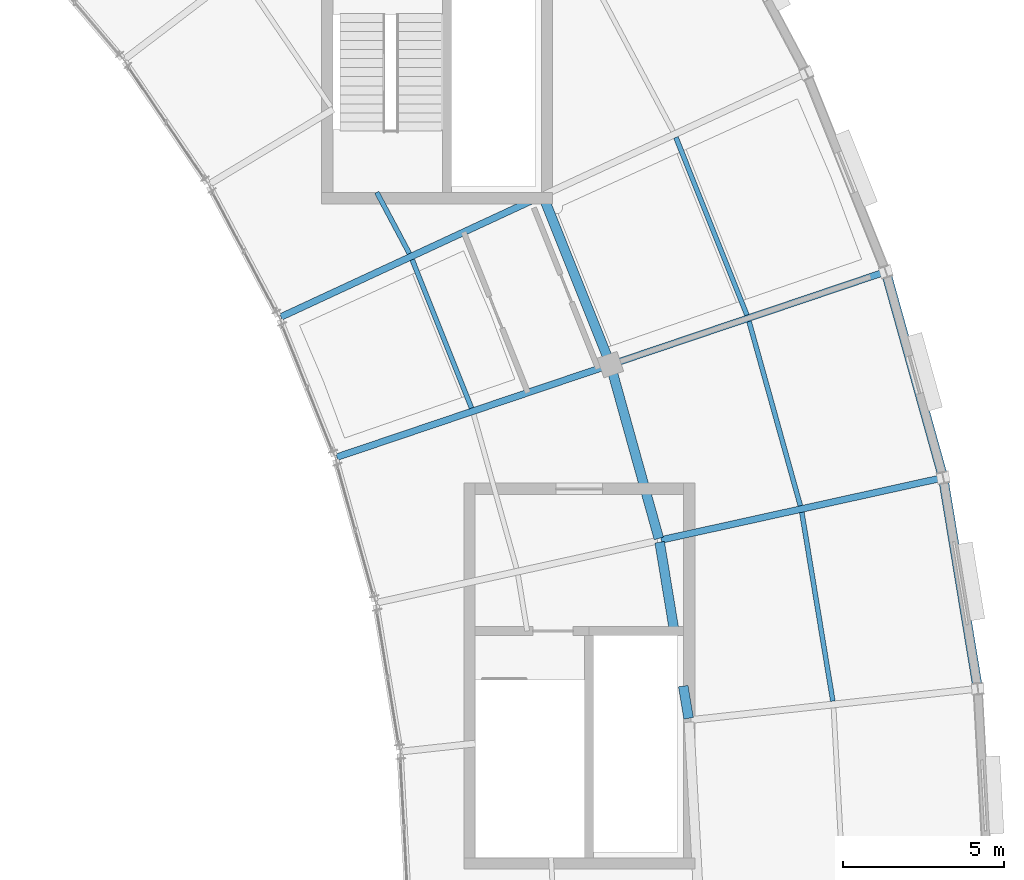
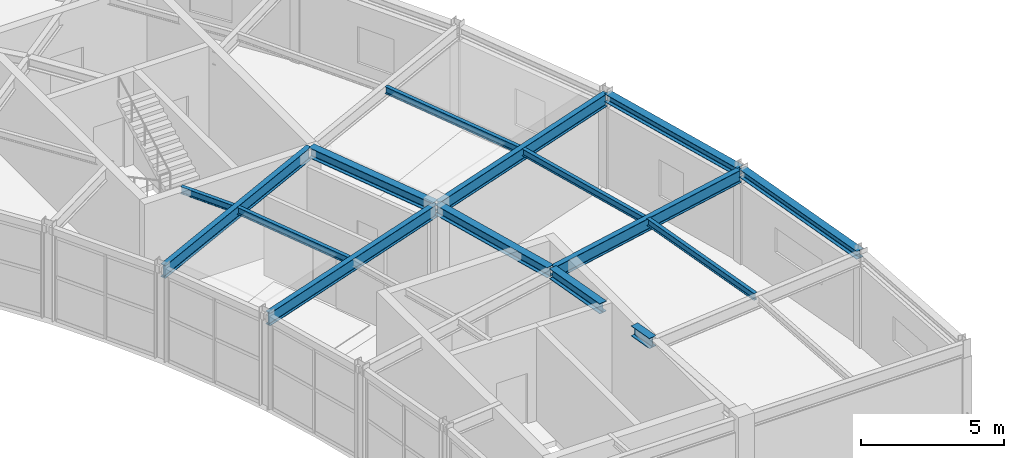
# One storey, part 13 of 29: 15 beams.
"""IFC4 building model written with IfcOpenShell, lengths in metres."""

from ifc_helpers import new_model, si_unit, direction, frame, origin, origin_2d, place, context, subcontext, project, spatial, i_section, extrude, material, material_profile, profile_set, type_object, element, save


model = new_model("IFC4")

# Units and contexts
model_context = context("Model", 3, precision=1e-05, world=origin(), true_north=direction((0.0, 1.0)))
body_context = subcontext(model_context, "Body", "Model", "MODEL_VIEW")
ifc_project = project(units=[si_unit("LENGTHUNIT", "METRE"), si_unit("AREAUNIT", "SQUARE_METRE"), si_unit("VOLUMEUNIT", "CUBIC_METRE"), si_unit("PLANEANGLEUNIT", "RADIAN"), si_unit("MASSUNIT", "GRAM", prefix="KILO")], contexts=[model_context])

# Site, building, storey
site_placement = place(None, origin())
site = spatial("IfcSite", under=ifc_project, at=site_placement, CompositionType="ELEMENT")
building_placement = place(site_placement, origin())
building = spatial("IfcBuilding", under=site, at=building_placement, Name="Tarnveldt Headland Concert Hall", CompositionType="ELEMENT")
storey_placement = place(building_placement, frame((0.0, 0.0, 18.60009765625)))
storey = spatial("IfcBuildingStorey", under=building, at=storey_placement, Name="L04", CompositionType="ELEMENT", Elevation=18.60009765625)

# Beams
ifc_material = material(Name="Steel S355", Category="steel")
ifc_material_profile_1 = material_profile(ifc_material, i_section(OverallWidth=0.300048828125, OverallDepth=0.35009765625, WebThickness=0.010009765625, FlangeThickness=0.017578125, FilletRadius=0.027099609375, at=origin_2d()), Name="HEA360", Category="steel")
ifc_profile_set_1 = profile_set([ifc_material_profile_1], Name="Steel S355")
beam_type_1 = type_object("IfcBeamType", Name="SB-HEA360", PredefinedType="SPANDREL", material=ifc_profile_set_1)
beam_1_placement = place(storey_placement, frame((178.130859375, 66.670654296875, 3.829833984375), z_axis=(-0.162188067735, 0.986759864752, 0.0), x_axis=(-0.986759864752, -0.162188067735, 0.0)))
element("IfcBeam", 1, at=beam_1_placement, inside=storey, type_object=beam_type_1, Name="Framing beam L04-1367", PredefinedType="SPANDREL", context=body_context, shape_type="SweptSolid", body=[
    extrude(i_section(OverallWidth=0.300048828125, OverallDepth=0.35009765625, WebThickness=0.010009765625, FlangeThickness=0.017578125, FilletRadius=0.027099609375, at=origin_2d()), origin(), (0.0, 0.0, 1.0), 6.50146484375),
])
beam_2_placement = place(storey_placement, frame((177.05078125, 73.202880859375, 3.804931640625), z_axis=(-0.268162889674, 0.963373585169, 0.0), x_axis=(-0.963373585169, -0.268162889674, 0.0)))
element("IfcBeam", 2, at=beam_2_placement, inside=storey, type_object=beam_type_1, Name="Framing beam L04-1374", PredefinedType="SPANDREL", context=body_context, shape_type="SweptSolid", body=[
    extrude(i_section(OverallWidth=0.300048828125, OverallDepth=0.35009765625, WebThickness=0.010009765625, FlangeThickness=0.017578125, FilletRadius=0.027099609375, at=origin_2d()), origin(), (0.0, 0.0, 1.0), 6.501220703125),
])
ifc_material_profile_2 = material_profile(ifc_material, i_section(OverallWidth=0.300048828125, OverallDepth=0.43994140625, WebThickness=0.011474609375, FlangeThickness=0.02099609375, FilletRadius=0.027099609375, at=origin_2d()), Name="HEA450", Category="steel")
ifc_profile_set_2 = profile_set([ifc_material_profile_2], Name="Steel S355")
beam_type_2 = type_object("IfcBeamType", Name="SB-HEA450", PredefinedType="BEAM", material=ifc_profile_set_2)
beam_3_placement = place(storey_placement, frame((169.18408203125, 65.6953125, 3.784912109375), z_axis=(-0.16224524411, 0.986750465297, 0.0), x_axis=(-0.986750465297, -0.16224524411, 0.0)))
element("IfcBeam", 3, at=beam_3_placement, inside=storey, type_object=beam_type_2, Name="Framing beam L04-1365", PredefinedType="BEAM", context=body_context, shape_type="SweptSolid", body=[
    extrude(i_section(OverallWidth=0.300048828125, OverallDepth=0.43994140625, WebThickness=0.011474609375, FlangeThickness=0.02099609375, FilletRadius=0.027099609375, at=origin_2d()), origin(), (0.0, 0.0, 1.0), 1.01123046875),
])
beam_4_placement = place(storey_placement, frame((168.739501953125, 68.39990234375, 3.784912109375), z_axis=(-0.162179692028, 0.986761241382, 0.0), x_axis=(-0.986761241382, -0.162179692028, 0.0)))
element("IfcBeam", 4, at=beam_4_placement, inside=storey, type_object=beam_type_2, Name="Framing beam L04-1366", PredefinedType="BEAM", context=body_context, shape_type="SweptSolid", body=[
    extrude(i_section(OverallWidth=0.300048828125, OverallDepth=0.43994140625, WebThickness=0.011474609375, FlangeThickness=0.02099609375, FilletRadius=0.027099609375, at=origin_2d()), origin(), (0.0, 0.0, 1.0), 2.783447265625),
])
for number, where, z_axis, x_axis, name in (
    (5, (168.26220703125, 71.263427734375, 3.760009765625), (-0.268165788284, 0.963372778313, 0.0), (-0.963372778313, -0.268165788284, 0.0), "Framing beam L04-1373"),
    (6, (166.7421875, 76.698974609375, 3.760009765625), (-0.370963937019, 0.928647272882, 0.0), (-0.928647272882, -0.370963937019, 0.0), "Framing beam L04-1380"),
):
    element("IfcBeam", number, at=place(storey_placement, frame(where, z_axis=z_axis, x_axis=x_axis)), inside=storey, type_object=beam_type_2, Name=name, PredefinedType="BEAM", context=body_context, shape_type="SweptSolid", body=[
        extrude(i_section(OverallWidth=0.300048828125, OverallDepth=0.43994140625, WebThickness=0.011474609375, FlangeThickness=0.02099609375, FilletRadius=0.027099609375, at=origin_2d()), origin(), (0.0, 0.0, 1.0), 5.5244140625),
    ])
ifc_material_profile_3 = material_profile(ifc_material, i_section(OverallWidth=0.14990234375, OverallDepth=0.300048828125, WebThickness=0.007080078125, FlangeThickness=0.0107421875, FilletRadius=0.014892578125, at=origin_2d()), Name="IPE300", Category="steel")
ifc_profile_set_3 = profile_set([ifc_material_profile_3], Name="Steel S355")
beam_type_3 = type_object("IfcBeamType", Name="SB-IPE300", PredefinedType="JOIST", material=ifc_profile_set_3)
beam_5_placement = place(storey_placement, frame((173.650146484375, 66.227294921875, 3.85498046875), z_axis=(-0.162159317287, 0.986764589868, 0.0), x_axis=(-0.986764589868, -0.162159317287, 0.0)))
element("IfcBeam", 7, at=beam_5_placement, inside=storey, type_object=beam_type_3, Name="Framing beam L04-1369", PredefinedType="JOIST", context=body_context, shape_type="SweptSolid", body=[
    extrude(i_section(OverallWidth=0.14990234375, OverallDepth=0.300048828125, WebThickness=0.007080078125, FlangeThickness=0.0107421875, FilletRadius=0.014892578125, at=origin_2d()), origin(), (0.0, 0.0, 1.0), 5.9228515625),
])
beam_6_placement = place(storey_placement, frame((172.644287109375, 72.276611328125, 3.829833984375), z_axis=(-0.268143442058, 0.96337899836, 0.0), x_axis=(-0.96337899836, -0.268143442058, 0.0)))
element("IfcBeam", 8, at=beam_6_placement, inside=storey, type_object=beam_type_3, Name="Framing beam L04-1376", PredefinedType="JOIST", context=body_context, shape_type="SweptSolid", body=[
    extrude(i_section(OverallWidth=0.14990234375, OverallDepth=0.300048828125, WebThickness=0.007080078125, FlangeThickness=0.0107421875, FilletRadius=0.014892578125, at=origin_2d()), origin(), (0.0, 0.0, 1.0), 5.922607421875),
])
beam_7_placement = place(storey_placement, frame((162.46240234375, 75.30029296875, 3.829833984375), z_axis=(-0.370999157562, 0.928633202663, 0.0), x_axis=(-0.928633202663, -0.370999157562, 0.0)))
element("IfcBeam", 9, at=beam_7_placement, inside=storey, type_object=beam_type_3, Name="Framing beam L04-1382", PredefinedType="JOIST", context=body_context, shape_type="SweptSolid", body=[
    extrude(i_section(OverallWidth=0.14990234375, OverallDepth=0.300048828125, WebThickness=0.007080078125, FlangeThickness=0.0107421875, FilletRadius=0.014892578125, at=origin_2d()), origin(), (0.0, 0.0, 1.0), 4.946044921875),
])
beam_8_placement = place(storey_placement, frame((170.989013671875, 78.180908203125, 3.829833984375), z_axis=(-0.371013987619, 0.928627277755, 0.0), x_axis=(-0.928627277755, -0.371013987619, 0.0)))
element("IfcBeam", 10, at=beam_8_placement, inside=storey, type_object=beam_type_3, Name="Framing beam L04-1383", PredefinedType="JOIST", context=body_context, shape_type="SweptSolid", body=[
    extrude(i_section(OverallWidth=0.14990234375, OverallDepth=0.300048828125, WebThickness=0.007080078125, FlangeThickness=0.0107421875, FilletRadius=0.014892578125, at=origin_2d()), origin(), (0.0, 0.0, 1.0), 5.923095703125),
])
beam_9_placement = place(storey_placement, frame((160.539306640625, 80.08349609375, 3.829833984375), z_axis=(-0.469531916637, 0.882915499501, 0.0), x_axis=(-0.882915499501, -0.469531916637, 0.0)))
element("IfcBeam", 11, at=beam_9_placement, inside=storey, type_object=beam_type_3, Name="Framing beam L04-1388", PredefinedType="JOIST", context=body_context, shape_type="SweptSolid", body=[
    extrude(i_section(OverallWidth=0.14990234375, OverallDepth=0.300048828125, WebThickness=0.007080078125, FlangeThickness=0.0107421875, FilletRadius=0.014892578125, at=origin_2d()), origin(), (0.0, 0.0, 1.0), 2.14794921875),
])
ifc_material_profile_4 = material_profile(ifc_material, i_section(OverallWidth=0.2099609375, OverallDepth=0.550048828125, WebThickness=0.010986328125, FlangeThickness=0.01708984375, FilletRadius=0.02392578125, at=origin_2d()), Name="IPE550", Category="steel")
ifc_profile_set_4 = profile_set([ifc_material_profile_4], Name="Steel S355")
beam_type_4 = type_object("IfcBeamType", Name="SB-IPE550", PredefinedType="BEAM", material=ifc_profile_set_4)
beam_10_placement = place(storey_placement, frame((168.3369140625, 71.218505859375, 3.704833984375), z_axis=(0.976505569656, 0.215492163268, 0.0), x_axis=(-0.215492163268, 0.976505569656, 0.0)))
element("IfcBeam", 12, at=beam_10_placement, inside=storey, type_object=beam_type_4, Name="Framing beam L04-1371", PredefinedType="BEAM", context=body_context, shape_type="SweptSolid", body=[
    extrude(i_section(OverallWidth=0.2099609375, OverallDepth=0.550048828125, WebThickness=0.010986328125, FlangeThickness=0.01708984375, FilletRadius=0.02392578125, at=origin_2d()), origin(), (0.0, 0.0, 1.0), 8.880126953125),
])
beam_11_placement = place(storey_placement, frame((158.294921875, 73.781982421875, 3.704833984375), z_axis=(0.947399878297, 0.320052293545, 0.0), x_axis=(-0.320052293545, 0.947399878297, 0.0)))
element("IfcBeam", 13, at=beam_11_placement, inside=storey, type_object=beam_type_4, Name="Framing beam L04-1377", PredefinedType="BEAM", context=body_context, shape_type="SweptSolid", body=[
    extrude(i_section(OverallWidth=0.2099609375, OverallDepth=0.550048828125, WebThickness=0.010986328125, FlangeThickness=0.01708984375, FilletRadius=0.02392578125, at=origin_2d()), origin(), (0.0, 0.0, 1.0), 8.8798828125),
])
for number, where, z_axis, x_axis, name in (
    (14, (166.8212890625, 76.662353515625, 3.704833984375), (0.947394358085, 0.320068633686, 0.0), (-0.320068633686, 0.947394358085, 0.0), "Framing beam L04-1378"),
    (15, (156.560791015625, 78.122314453125, 3.704833984375), (0.907136064141, 0.420837452153, 0.0), (-0.420837452153, 0.907136064141, 0.0), "Framing beam L04-1384"),
):
    element("IfcBeam", number, at=place(storey_placement, frame(where, z_axis=z_axis, x_axis=x_axis)), inside=storey, type_object=beam_type_4, Name=name, PredefinedType="BEAM", context=body_context, shape_type="SweptSolid", body=[
        extrude(i_section(OverallWidth=0.2099609375, OverallDepth=0.550048828125, WebThickness=0.010986328125, FlangeThickness=0.01708984375, FilletRadius=0.02392578125, at=origin_2d()), origin(), (0.0, 0.0, 1.0), 8.880126953125),
    ])

save(model, "model.ifc")
